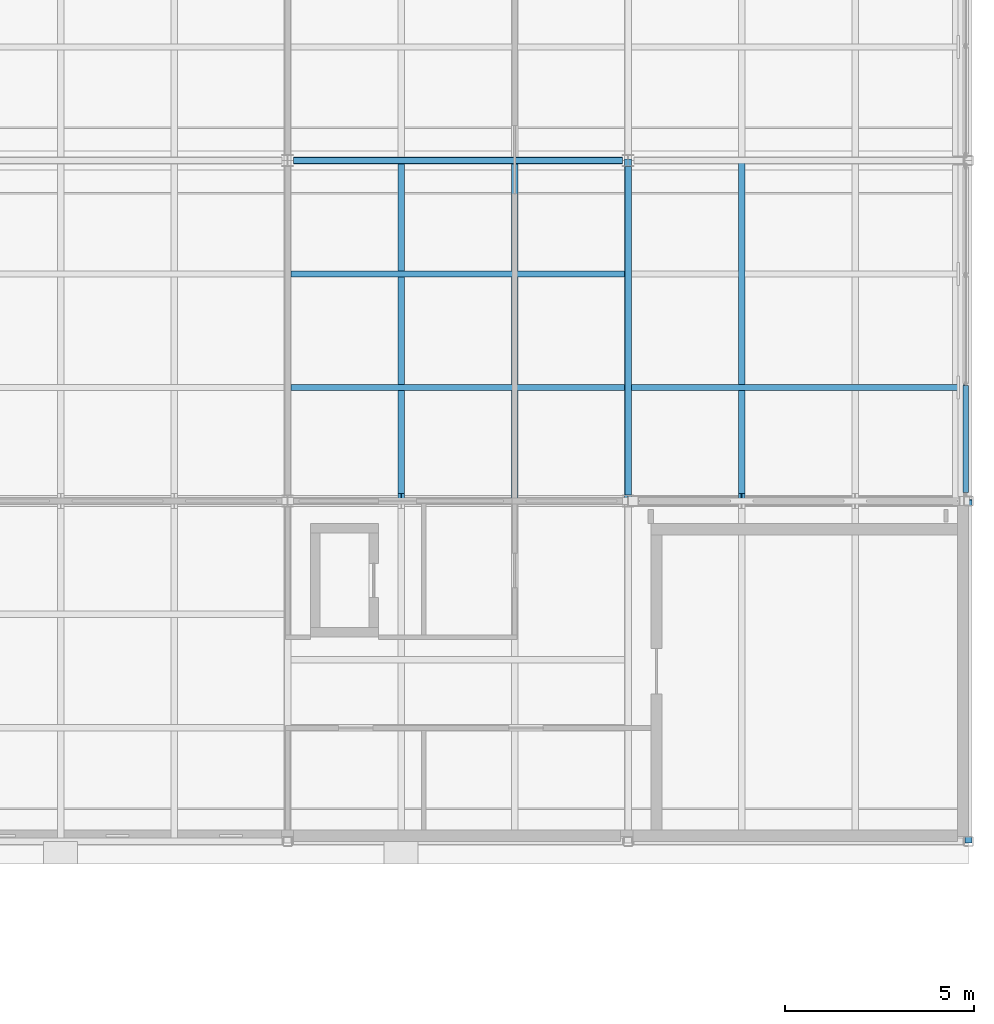
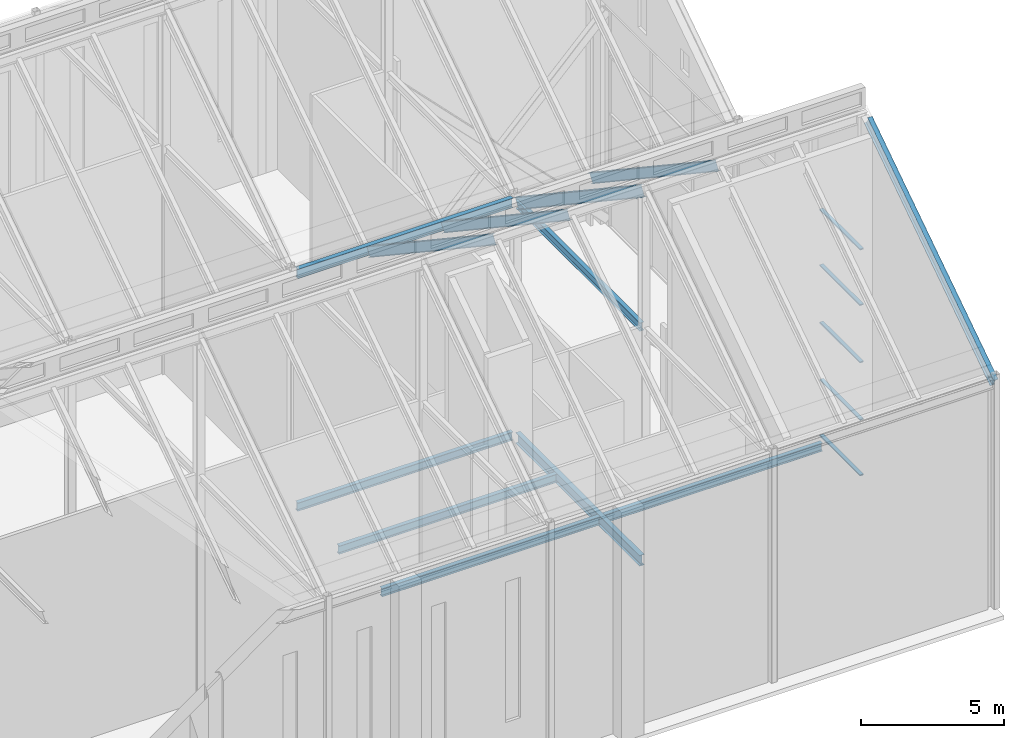
# One storey, part 70 of 111: 10 members, 7 beams, 1 element without a shape of its own.
"""IFC4 building model written with IfcOpenShell, lengths in metres."""

from ifc_helpers import new_model, si_unit, direction, frame, origin, origin_2d, place, context, subcontext, project, spatial, hollow_rectangle, i_section, extrude, material, layer, layer_set, material_profile, profile_set, type_object, element, aggregate, save


model = new_model("IFC4")

# Units and contexts
model_context = context("Model", 3, precision=1e-05, world=origin(), true_north=direction((0.0, 1.0)))
body_context = subcontext(model_context, "Body", "Model", "MODEL_VIEW")
ifc_project = project(units=[si_unit("LENGTHUNIT", "METRE"), si_unit("AREAUNIT", "SQUARE_METRE"), si_unit("VOLUMEUNIT", "CUBIC_METRE"), si_unit("PLANEANGLEUNIT", "RADIAN"), si_unit("MASSUNIT", "GRAM", prefix="KILO")], contexts=[model_context])

# Site, building, storey
site_placement = place(None, origin())
site = spatial("IfcSite", under=ifc_project, at=site_placement, CompositionType="ELEMENT")
building_placement = place(site_placement, origin())
building = spatial("IfcBuilding", under=site, at=building_placement, Name="Shorebreak Coast Museum", CompositionType="ELEMENT")
storey_placement = place(building_placement, frame((0.0, 0.0, 16.0)))
storey = spatial("IfcBuildingStorey", under=building, at=storey_placement, Name="L03", CompositionType="ELEMENT", Elevation=16.0)

# Beams
ifc_material_1 = material(Name="Steel Grade 300", Category="steel")
ifc_material_profile_1 = material_profile(ifc_material_1, i_section(OverallWidth=0.1708984375, OverallDepth=0.355712890625, WebThickness=0.00732421875, FlangeThickness=0.011474609375, FilletRadius=0.011474609375, at=origin_2d()), Name="360UB50.7")
ifc_profile_set_1 = profile_set([ifc_material_profile_1], Name="Steel Grade 300")
beam_type_1 = type_object("IfcBeamType", Name="Floor girder east-west 360UB50.7", PredefinedType="BEAM", material=ifc_profile_set_1)
beam_1_placement = place(storey_placement, frame((153.153564453125, 72.0, -0.352783203125), z_axis=(1.0, 0.0, 0.0), x_axis=(0.0, 1.0, 0.0)))
element("IfcBeam", 1, at=beam_1_placement, inside=storey, type_object=beam_type_1, Name="Floor girder east-west L03 18J", PredefinedType="BEAM", context=body_context, shape_type="SweptSolid", body=[
    extrude(i_section(OverallWidth=0.1708984375, OverallDepth=0.355712890625, WebThickness=0.00732421875, FlangeThickness=0.011474609375, FilletRadius=0.011474609375, at=origin_2d()), origin(), (0.0, 0.0, 1.0), 8.69287109375),
])
ifc_material_2 = material(Name="Steel Grade 300", Category="steel")
ifc_material_profile_2 = material_profile(ifc_material_2, i_section(OverallWidth=0.18994140625, OverallDepth=0.453857421875, WebThickness=0.008544921875, FlangeThickness=0.0126953125, FilletRadius=0.011474609375, at=origin_2d()), Name="460UB67.1")
ifc_profile_set_2 = profile_set([ifc_material_profile_2], Name="Steel Grade 300")
beam_type_2 = type_object("IfcBeamType", Name="Floor girder north-south 460UB67.1", PredefinedType="BEAM", material=ifc_profile_set_2)
beam_2_placement = place(storey_placement, frame((162.0, 63.1572265625, -0.40185546875), z_axis=(0.0, 1.0, 0.0), x_axis=(-1.0, 0.0, 0.0)))
element("IfcBeam", 2, at=beam_2_placement, inside=storey, type_object=beam_type_2, Name="Floor girder north-south L03 19H", PredefinedType="BEAM", context=body_context, shape_type="SweptSolid", body=[
    extrude(i_section(OverallWidth=0.18994140625, OverallDepth=0.453857421875, WebThickness=0.008544921875, FlangeThickness=0.0126953125, FilletRadius=0.011474609375, at=origin_2d()), origin(), (0.0, 0.0, 1.0), 8.685546875),
])
ifc_material_3 = material(Name="Steel Grade 300", Category="steel")
ifc_material_profile_3 = material_profile(ifc_material_3, i_section(OverallWidth=0.1708984375, OverallDepth=0.35205078125, WebThickness=0.0068359375, FlangeThickness=0.009765625, FilletRadius=0.011474609375, at=origin_2d()), Name="360UB44.7")
ifc_profile_set_3 = profile_set([ifc_material_profile_3], Name="Steel Grade 300")
beam_type_3 = type_object("IfcBeamType", Name="Floor joist 360UB44.7", PredefinedType="JOIST", material=ifc_profile_set_3)
for number, where, z_axis, x_axis, name in (
    (3, (153.094970703125, 66.0, -0.35107421875), (1.0, 0.0, 0.0), (0.0, 1.0, 0.0), "Floor joist L03 bay 18H at 3000 mm"),
    (4, (153.094970703125, 69.0, -0.35107421875), (1.0, 0.0, 0.0), (0.0, 1.0, 0.0), "Floor joist L03 bay 18H at 6000 mm"),
    (5, (162.094970703125, 66.0, -0.35107421875), (1.0, 0.0, 0.0), (0.0, 1.0, 0.0), "Floor joist L03 bay 19H at 3000 mm"),
):
    element("IfcBeam", number, at=place(storey_placement, frame(where, z_axis=z_axis, x_axis=x_axis)), inside=storey, type_object=beam_type_3, Name=name, PredefinedType="JOIST", context=body_context, shape_type="SweptSolid", body=[
        extrude(i_section(OverallWidth=0.1708984375, OverallDepth=0.35205078125, WebThickness=0.0068359375, FlangeThickness=0.009765625, FilletRadius=0.011474609375, at=origin_2d()), origin(), (0.0, 0.0, 1.0), 8.81005859375),
    ])

# Members
ifc_material_4 = material(Name="Steel Grade 300", Category="steel")
ifc_material_profile_4 = material_profile(ifc_material_4, i_section(OverallWidth=0.177978515625, OverallDepth=0.402587890625, WebThickness=0.007568359375, FlangeThickness=0.010986328125, FilletRadius=0.011474609375, at=origin_2d()), Name="410UB53.7")
ifc_profile_set_4 = profile_set([ifc_material_profile_4], Name="Steel Grade 300")
member_type_1 = type_object("IfcMemberType", Name="Fold rafter 410UB53.7", PredefinedType="RAFTER", material=ifc_profile_set_4)
for number, where, z_axis, x_axis, name in (
    (6, (156.0, 63.089111328125, 15.458251953125), (0.0, 0.832043209162, -0.554710823842), (-1.0, 0.0, 0.0), "Fold rafter FOLD-E line 2 14"),
    (7, (159.0, 63.089111328125, 15.458251953125), (0.0, 0.832043209162, -0.554710823842), (-1.0, 0.0, 0.0), "Fold rafter FOLD-E line 2 15"),
    (8, (165.0, 63.089111328125, 15.458251953125), (0.0, 0.832043209162, -0.554710823842), (-1.0, 0.0, 0.0), "Fold rafter FOLD-E line 2 17"),
):
    element("IfcMember", number, at=place(storey_placement, frame(where, z_axis=z_axis, x_axis=x_axis)), inside=storey, type_object=member_type_1, Name=name, PredefinedType="RAFTER", context=body_context, shape_type="SweptSolid", body=[
        extrude(i_section(OverallWidth=0.177978515625, OverallDepth=0.402587890625, WebThickness=0.007568359375, FlangeThickness=0.010986328125, FilletRadius=0.011474609375, at=origin_2d()), origin(), (0.0, 0.0, 1.0), 10.6025390625),
    ])
ifc_material_5 = material(Name="Steel Grade 300", Category="steel")
ifc_material_profile_5 = material_profile(ifc_material_5, i_section(OverallWidth=0.18994140625, OverallDepth=0.453857421875, WebThickness=0.008544921875, FlangeThickness=0.0126953125, FilletRadius=0.011474609375, at=origin_2d()), Name="460UB67.1")
ifc_profile_set_5 = profile_set([ifc_material_profile_5], Name="Steel Grade 300")
member_type_2 = type_object("IfcMemberType", Name="Fold rib rafter 460UB67.1", PredefinedType="RAFTER", material=ifc_profile_set_5)
for number, where, z_axis, x_axis, name in (
    (9, (171.0, 62.910888671875, 15.427490234375), (0.0, -0.832043209162, -0.554710823842), (1.0, 0.0, 0.0), "Fold rib rafter FOLD-E line 1 19"),
    (10, (162.0, 63.089111328125, 15.427490234375), (0.0, 0.832043209162, -0.554710823842), (-1.0, 0.0, 0.0), "Fold rib rafter FOLD-E line 2 16"),
):
    element("IfcMember", number, at=place(storey_placement, frame(where, z_axis=z_axis, x_axis=x_axis)), inside=storey, type_object=member_type_2, Name=name, PredefinedType="RAFTER", context=body_context, shape_type="SweptSolid", body=[
        extrude(i_section(OverallWidth=0.18994140625, OverallDepth=0.453857421875, WebThickness=0.008544921875, FlangeThickness=0.0126953125, FilletRadius=0.011474609375, at=origin_2d()), origin(), (0.0, 0.0, 1.0), 10.6025390625),
    ])

# Beams
ifc_material_6 = material(Name="Steel Grade 300", Category="steel")
ifc_material_profile_6 = material_profile(ifc_material_6, i_section(OverallWidth=0.1708984375, OverallDepth=0.35205078125, WebThickness=0.0068359375, FlangeThickness=0.009765625, FilletRadius=0.011474609375, at=origin_2d()), Name="360UB44.7")
ifc_profile_set_6 = profile_set([ifc_material_profile_6], Name="Steel Grade 300")
beam_type_4 = type_object("IfcBeamType", Name="Fold rib tie 360UB44.7", PredefinedType="BEAM", material=ifc_profile_set_6)
beam_3_placement = place(storey_placement, frame((162.0, 63.154052734375, 9.58349609375), z_axis=(0.0, 1.0, 0.0), x_axis=(-1.0, 0.0, 0.0)))
element("IfcBeam", 11, at=beam_3_placement, inside=storey, type_object=beam_type_4, Name="Fold rib tie FOLD-E rib 19 H-J", PredefinedType="BEAM", context=body_context, shape_type="SweptSolid", body=[
    extrude(i_section(OverallWidth=0.1708984375, OverallDepth=0.35205078125, WebThickness=0.0068359375, FlangeThickness=0.009765625, FilletRadius=0.011474609375, at=origin_2d()), origin(), (0.0, 0.0, 1.0), 8.69189453125),
])
ifc_material_7 = material(Name="Steel Grade 300", Category="steel")
ifc_material_profile_7 = material_profile(ifc_material_7, i_section(OverallWidth=0.177978515625, OverallDepth=0.406494140625, WebThickness=0.0078125, FlangeThickness=0.0126953125, FilletRadius=0.011474609375, at=origin_2d()), Name="410UB59.7")
ifc_profile_set_7 = profile_set([ifc_material_profile_7], Name="Steel Grade 300")
beam_type_5 = type_object("IfcBeamType", Name="Fold valley girder 410UB59.7", PredefinedType="BEAM", material=ifc_profile_set_7)
beam_4_placement = place(storey_placement, frame((153.152587890625, 72.0, 9.61572265625), z_axis=(1.0, 0.0, 0.0), x_axis=(0.0, 1.0, 0.0)))
element("IfcBeam", 12, at=beam_4_placement, inside=storey, type_object=beam_type_5, Name="Fold valley girder FOLD-E line J bay 18J", PredefinedType="BEAM", context=body_context, shape_type="SweptSolid", body=[
    extrude(i_section(OverallWidth=0.177978515625, OverallDepth=0.406494140625, WebThickness=0.0078125, FlangeThickness=0.0126953125, FilletRadius=0.011474609375, at=origin_2d()), origin(), (0.0, 0.0, 1.0), 8.69482421875),
])

# Curtain wall, members
ifc_material_8 = material(Name="Aluminium", Category="aluminium")
ifc_layer = layer(ifc_material_8, 0.14990234375)
ifc_layer_set = layer_set([ifc_layer], Name="Aluminium")
curtain_wall_type = type_object("IfcCurtainWallType", Name="Storefront curtain wall", PredefinedType="NOTDEFINED", material=ifc_layer_set)
curtain_wall_placement = place(storey_placement, origin())
curtain_wall = element("IfcCurtainWall", 13, at=curtain_wall_placement, inside=storey, type_object=curtain_wall_type, Name="Gallery end glazing L03 E 1", PredefinedType="NOTDEFINED")
ifc_material_9 = material(Name="Aluminium", Category="aluminium")
ifc_material_profile_8 = material_profile(ifc_material_9, hollow_rectangle(XDim=0.14990234375, YDim=0.050048828125, WallThickness=0.00390625, at=origin_2d()), Name="AL 50x150 RHS")
ifc_profile_set_8 = profile_set([ifc_material_profile_8], Name="Aluminium")
member_type_3 = type_object("IfcMemberType", Name="Storefront transom 150 x 50", PredefinedType="USERDEFINED", material=ifc_profile_set_8)
member_1_placement = place(storey_placement, frame((170.925048828125, 63.22705078125, 0.074951171875), z_axis=(0.0, 1.0, 0.0), x_axis=(-1.0, 0.0, 0.0)))
member_1 = element("IfcMember", 14, at=member_1_placement, type_object=member_type_3, Name="CW9 transom 1.1", ObjectType="TRANSOM", PredefinedType="USERDEFINED", context=body_context, shape_type="SweptSolid", body=[
    extrude(hollow_rectangle(XDim=0.14990234375, YDim=0.050048828125, WallThickness=0.00390625, at=origin_2d()), origin(), (0.0, 0.0, 1.0), 2.82421875),
])
member_2_placement = place(storey_placement, frame((170.925048828125, 63.22705078125, 2.449951171875), z_axis=(0.0, 1.0, 0.0), x_axis=(-1.0, 0.0, 0.0)))
member_2 = element("IfcMember", 15, at=member_2_placement, type_object=member_type_3, Name="CW9 transom 1.2", ObjectType="TRANSOM", PredefinedType="USERDEFINED", context=body_context, shape_type="SweptSolid", body=[
    extrude(hollow_rectangle(XDim=0.14990234375, YDim=0.050048828125, WallThickness=0.00390625, at=origin_2d()), origin(), (0.0, 0.0, 1.0), 2.82421875),
])
member_3_placement = place(storey_placement, frame((170.925048828125, 63.22705078125, 4.89990234375), z_axis=(0.0, 1.0, 0.0), x_axis=(-1.0, 0.0, 0.0)))
member_3 = element("IfcMember", 16, at=member_3_placement, type_object=member_type_3, Name="CW9 transom 1.3", ObjectType="TRANSOM", PredefinedType="USERDEFINED", context=body_context, shape_type="SweptSolid", body=[
    extrude(hollow_rectangle(XDim=0.14990234375, YDim=0.050048828125, WallThickness=0.00390625, at=origin_2d()), origin(), (0.0, 0.0, 1.0), 2.82421875),
])
member_4_placement = place(storey_placement, frame((170.925048828125, 63.22705078125, 7.35009765625), z_axis=(0.0, 1.0, 0.0), x_axis=(-1.0, 0.0, 0.0)))
member_4 = element("IfcMember", 17, at=member_4_placement, type_object=member_type_3, Name="CW9 transom 1.4", ObjectType="TRANSOM", PredefinedType="USERDEFINED", context=body_context, shape_type="SweptSolid", body=[
    extrude(hollow_rectangle(XDim=0.14990234375, YDim=0.050048828125, WallThickness=0.00390625, at=origin_2d()), origin(), (0.0, 0.0, 1.0), 2.82421875),
])
member_5_placement = place(storey_placement, frame((170.925048828125, 63.22705078125, 9.72509765625), z_axis=(0.0, 1.0, 0.0), x_axis=(-1.0, 0.0, 0.0)))
member_5 = element("IfcMember", 18, at=member_5_placement, type_object=member_type_3, Name="CW9 transom 1.5", ObjectType="TRANSOM", PredefinedType="USERDEFINED", context=body_context, shape_type="SweptSolid", body=[
    extrude(hollow_rectangle(XDim=0.14990234375, YDim=0.050048828125, WallThickness=0.00390625, at=origin_2d()), origin(), (0.0, 0.0, 1.0), 2.82421875),
])
aggregate(curtain_wall, [member_1, member_2, member_3, member_4, member_5])

save(model, "model.ifc")
